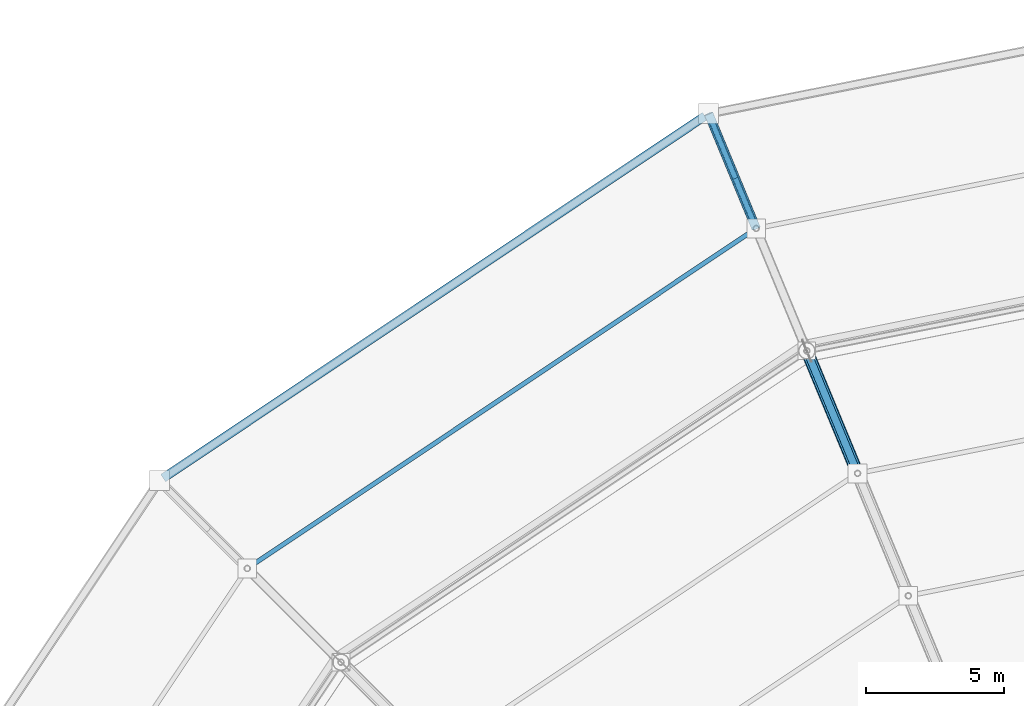
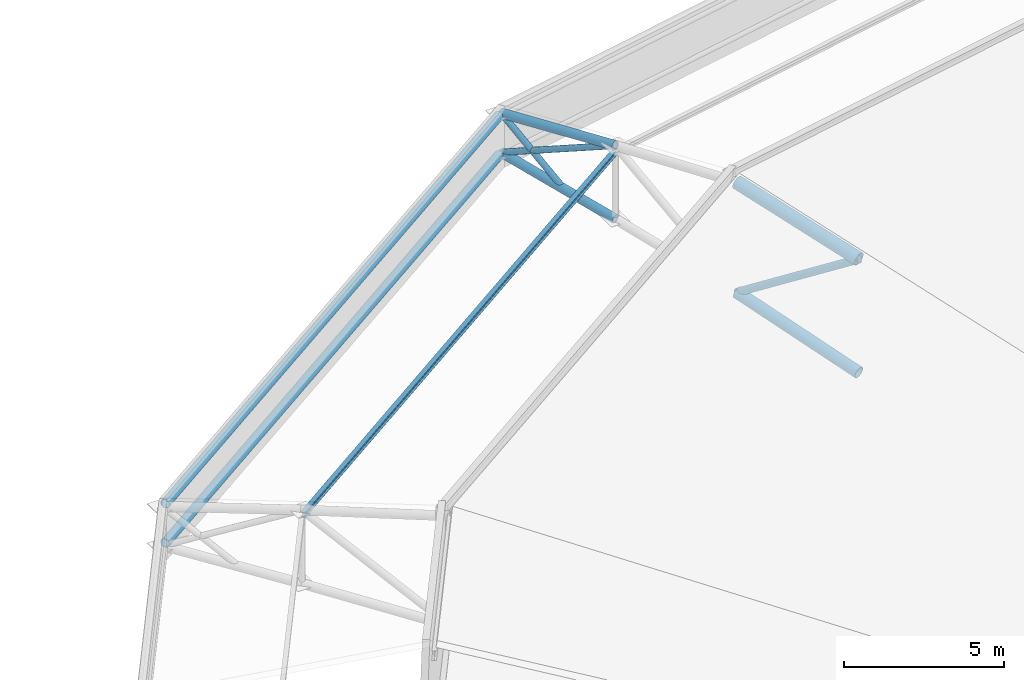
# One storey, part 88 of 146: 10 members.
"""IFC4 building model written with IfcOpenShell, lengths in metres."""

from ifc_helpers import new_model, si_unit, direction, frame, origin, origin_2d, place, context, subcontext, project, spatial, hollow_circle, i_section, extrude, material, material_profile, profile_set, type_object, element, save


model = new_model("IFC4")

# Units and contexts
model_context = context("Model", 3, precision=1e-05, world=origin(), true_north=direction((0.0, 1.0)))
body_context = subcontext(model_context, "Body", "Model", "MODEL_VIEW")
ifc_project = project(units=[si_unit("LENGTHUNIT", "METRE"), si_unit("AREAUNIT", "SQUARE_METRE"), si_unit("VOLUMEUNIT", "CUBIC_METRE"), si_unit("PLANEANGLEUNIT", "RADIAN"), si_unit("MASSUNIT", "GRAM", prefix="KILO")], contexts=[model_context])

# Site, building, storey
site_placement = place(None, origin())
site = spatial("IfcSite", under=ifc_project, at=site_placement, CompositionType="ELEMENT")
building_placement = place(site_placement, origin())
building = spatial("IfcBuilding", under=site, at=building_placement, Name="Candeia Ridge Stadium", CompositionType="ELEMENT")
storey_placement = place(building_placement, frame((0.0, 0.0, 31.800048828125)))
storey = spatial("IfcBuildingStorey", under=building, at=storey_placement, Name="RF", CompositionType="ELEMENT", Elevation=31.800048828125)

# Members
ifc_material = material(Name="Steel ASTM A572 Grade 50", Category="steel")
ifc_material_profile_1 = material_profile(ifc_material, i_section(OverallWidth=0.1650390625, OverallDepth=0.200927734375, WebThickness=0.006103515625, FlangeThickness=0.01025390625, FilletRadius=0.010009765625, at=origin_2d()), Name="W200x35.9", Category="steel")
ifc_profile_set_1 = profile_set([ifc_material_profile_1], Name="Steel ASTM A572 Grade 50")
member_type_1 = type_object("IfcMemberType", Name="Roof Purlin W200x35.9", PredefinedType="PURLIN", material=ifc_profile_set_1)
member_1_placement = place(storey_placement, frame((49.221923828125, 147.448486328125, 3.73828125), z_axis=(-0.83146929699, -0.555570704918, 0.0), x_axis=(0.555570704918, -0.83146929699, 0.0)))
element("IfcMember", 1, at=member_1_placement, inside=storey, type_object=member_type_1, Name="Saddle roof steel purlin bay 09-5", PredefinedType="PURLIN", context=body_context, shape_type="SweptSolid", body=[
    extrude(i_section(OverallWidth=0.1650390625, OverallDepth=0.200927734375, WebThickness=0.006103515625, FlangeThickness=0.01025390625, FilletRadius=0.010009765625, at=origin_2d()), origin(), (0.0, 0.0, 1.0), 22.062255859375),
])
ifc_material_profile_2 = material_profile(ifc_material, hollow_circle(Radius=0.161865234375, WallThickness=0.012451171875, at=origin_2d()), Name="CHS323x12", Category="steel")
ifc_profile_set_2 = profile_set([ifc_material_profile_2], Name="Steel ASTM A572 Grade 50")
member_type_2 = type_object("IfcMemberType", Name="Roof Truss Eaves Chord CHS323x12", PredefinedType="CHORD", material=ifc_profile_set_2)
member_2_placement = place(storey_placement, frame((49.263671875, 147.476318359375, 3.958251953125), z_axis=(-0.378438250885, 0.913584487427, -0.148821620067), x_axis=(-0.923872679915, -0.382699975578, 0.0)))
element("IfcMember", 2, at=member_2_placement, inside=storey, type_object=member_type_2, Name="Roof cantilever truss RT-09 top chord 8", PredefinedType="CHORD", context=body_context, shape_type="SweptSolid", body=[
    extrude(hollow_circle(Radius=0.161865234375, WallThickness=0.012451171875, at=origin_2d()), origin(), (0.0, 0.0, 1.0), 4.55078125),
])
member_3_placement = place(storey_placement, frame((49.263671875, 147.476318359375, 1.15185546875), z_axis=(-0.379013657665, 0.914973571928, 0.138463027474), x_axis=(-0.923872679915, -0.382699975578, 0.0)))
element("IfcMember", 3, at=member_3_placement, inside=storey, type_object=member_type_2, Name="Roof cantilever truss RT-09 bottom chord 8", PredefinedType="CHORD", context=body_context, shape_type="SweptSolid", body=[
    extrude(hollow_circle(Radius=0.161865234375, WallThickness=0.012451171875, at=origin_2d()), origin(), (0.0, 0.0, 1.0), 4.543701171875),
])
for number, where, z_axis, x_axis, name in (
    (4, (47.408447265625, 151.544921875, 3.281005859375), (-0.831470476236, -0.555568940049, 0.0), (0.555568940049, -0.831470476236, 0.0), "Saddle roof outer eaves top ring chord bay 09"),
    (5, (47.408447265625, 151.544921875, 1.781005859375), (-0.831470476236, -0.555568940049, 0.0), (0.555568940049, -0.831470476236, 0.0), "Saddle roof outer eaves bottom ring chord bay 09"),
):
    element("IfcMember", number, at=place(storey_placement, frame(where, z_axis=z_axis, x_axis=x_axis)), inside=storey, type_object=member_type_2, Name=name, PredefinedType="CHORD", context=body_context, shape_type="SweptSolid", body=[
        extrude(hollow_circle(Radius=0.161865234375, WallThickness=0.012451171875, at=origin_2d()), origin(), (0.0, 0.0, 1.0), 23.59814453125),
    ])
ifc_material_profile_3 = material_profile(ifc_material, hollow_circle(Radius=0.136474609375, WallThickness=0.010009765625, at=origin_2d()), Name="CHS273x10", Category="steel")
ifc_profile_set_3 = profile_set([ifc_material_profile_3], Name="Steel ASTM A572 Grade 50")
member_type_3 = type_object("IfcMemberType", Name="Roof Truss Heavy Web Brace CHS273x10", PredefinedType="BRACE", material=ifc_profile_set_3)
member_4_placement = place(storey_placement, frame((52.937255859375, 138.607177734375, 3.7119140625), z_axis=(-0.314986065103, 0.760420904644, -0.567929420414), x_axis=(-0.923875488976, -0.382693194178, 0.0)))
element("IfcMember", 6, at=member_4_placement, inside=storey, type_object=member_type_3, Name="Roof cantilever truss RT-09 diagonal web 6", PredefinedType="BRACE", context=body_context, shape_type="SweptSolid", body=[
    extrude(hollow_circle(Radius=0.136474609375, WallThickness=0.010009765625, at=origin_2d()), origin(), (0.0, 0.0, 1.0), 5.831787109375),
])
ifc_material_profile_4 = material_profile(ifc_material, hollow_circle(Radius=0.109619140625, WallThickness=0.010009765625, at=origin_2d()), Name="CHS219x10", Category="steel")
ifc_profile_set_4 = profile_set([ifc_material_profile_4], Name="Steel ASTM A572 Grade 50")
member_type_4 = type_object("IfcMemberType", Name="Roof Truss Inner Web Brace CHS219x10", PredefinedType="BRACE", material=ifc_profile_set_4)
member_5_placement = place(storey_placement, frame((49.263671875, 147.476318359375, 3.958251953125), z_axis=(-0.344496809804, 0.831646749952, -0.435529139472), x_axis=(-0.923872679915, -0.382699975578, 0.0)))
element("IfcMember", 7, at=member_5_placement, inside=storey, type_object=member_type_4, Name="Roof cantilever truss RT-09 diagonal web 8", PredefinedType="BRACE", context=body_context, shape_type="SweptSolid", body=[
    extrude(hollow_circle(Radius=0.109619140625, WallThickness=0.010009765625, at=origin_2d()), origin(), (0.0, 0.0, 1.0), 4.9990234375),
])
member_6_placement = place(storey_placement, frame((48.488525390625, 149.34716796875, 1.43505859375), z_axis=(-0.306721963062, 0.740592396504, 0.597866657054), x_axis=(-0.923897814256, -0.382639293348, 0.0)))
element("IfcMember", 8, at=member_6_placement, inside=storey, type_object=member_type_4, Name="Roof cantilever truss RT-09 vertical post 8", PredefinedType="BRACE", context=body_context, shape_type="SweptSolid", body=[
    extrude(hollow_circle(Radius=0.109619140625, WallThickness=0.010009765625, at=origin_2d()), origin(), (0.0, 0.0, 1.0), 3.087646484375),
])
ifc_material_profile_5 = material_profile(ifc_material, hollow_circle(Radius=0.228515625, WallThickness=0.02001953125, at=origin_2d()), Name="CHS457x20", Category="steel")
ifc_profile_set_5 = profile_set([ifc_material_profile_5], Name="Steel ASTM A572 Grade 50")
member_type_5 = type_object("IfcMemberType", Name="Roof Truss Main Chord CHS457x20", PredefinedType="CHORD", material=ifc_profile_set_5)
member_7_placement = place(storey_placement, frame((52.937255859375, 138.607177734375, 3.7119140625), z_axis=(-0.376308561394, 0.908462082556, 0.181902477112), x_axis=(-0.923875488976, -0.382693194178, 0.0)))
element("IfcMember", 9, at=member_7_placement, inside=storey, type_object=member_type_5, Name="Roof cantilever truss RT-09 top chord 6", PredefinedType="CHORD", context=body_context, shape_type="SweptSolid", body=[
    extrude(hollow_circle(Radius=0.228515625, WallThickness=0.02001953125, at=origin_2d()), origin(), (0.0, 0.0, 1.0), 4.88134765625),
])
ifc_material_profile_6 = material_profile(ifc_material, hollow_circle(Radius=0.202880859375, WallThickness=0.01611328125, at=origin_2d()), Name="CHS406x16", Category="steel")
ifc_profile_set_6 = profile_set([ifc_material_profile_6], Name="Steel ASTM A572 Grade 50")
member_type_6 = type_object("IfcMemberType", Name="Roof Truss Outer Chord CHS406x16", PredefinedType="CHORD", material=ifc_profile_set_6)
member_8_placement = place(storey_placement, frame((52.937255859375, 138.607177734375, -0.621337890625), z_axis=(-0.374314942278, 0.903649204085, 0.208101994092), x_axis=(-0.923875488976, -0.382693194178, 0.0)))
element("IfcMember", 10, at=member_8_placement, inside=storey, type_object=member_type_6, Name="Roof cantilever truss RT-09 bottom chord 6", PredefinedType="CHORD", context=body_context, shape_type="SweptSolid", body=[
    extrude(hollow_circle(Radius=0.202880859375, WallThickness=0.01611328125, at=origin_2d()), origin(), (0.0, 0.0, 1.0), 4.907470703125),
])

save(model, "model.ifc")
